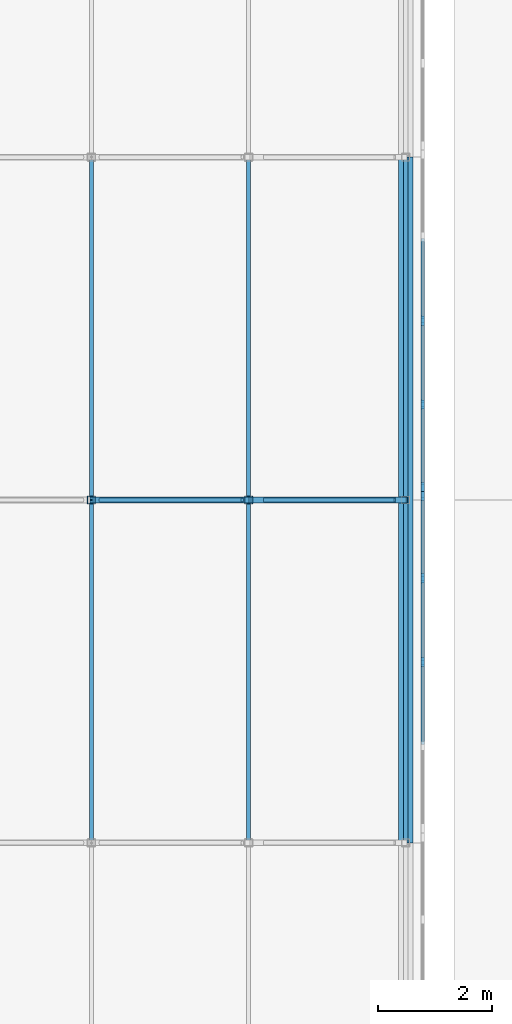
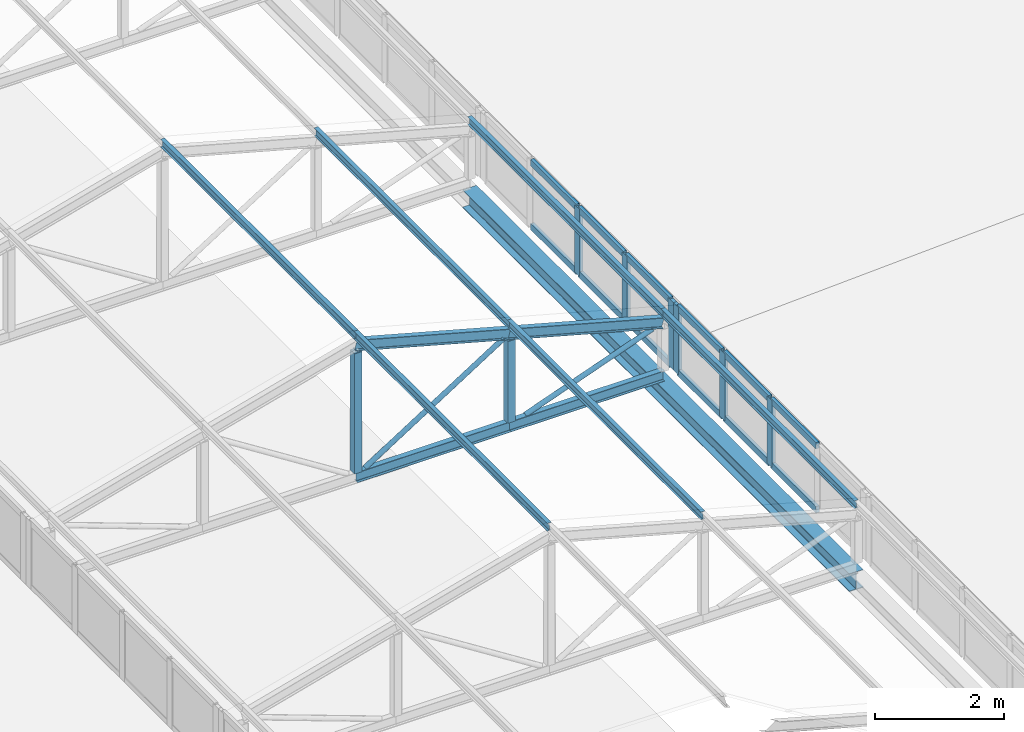
# One storey, part 21 of 94: 32 members, 1 beam, 2 elements without a shape of their own.
"""IFC4 building model written with IfcOpenShell, lengths in metres."""

from ifc_helpers import new_model, si_unit, direction, frame, origin, origin_2d, place, context, subcontext, project, spatial, rectangle, hollow_rectangle, hollow_circle, i_section, extrude, material, layer, layer_set, material_profile, profile_set, type_object, element, aggregate, save


model = new_model("IFC4")

# Units and contexts
model_context = context("Model", 3, precision=1e-05, world=origin(), true_north=direction((0.0, 1.0)))
body_context = subcontext(model_context, "Body", "Model", "MODEL_VIEW")
ifc_project = project(units=[si_unit("LENGTHUNIT", "METRE"), si_unit("AREAUNIT", "SQUARE_METRE"), si_unit("VOLUMEUNIT", "CUBIC_METRE"), si_unit("PLANEANGLEUNIT", "RADIAN"), si_unit("MASSUNIT", "GRAM", prefix="KILO")], contexts=[model_context])

# Site, building, storey
site_placement = place(None, origin())
site = spatial("IfcSite", under=ifc_project, at=site_placement, CompositionType="ELEMENT")
building_placement = place(site_placement, origin())
building = spatial("IfcBuilding", under=site, at=building_placement, Name="Lilac Gate Convention Centre", CompositionType="ELEMENT")
storey_placement = place(building_placement, frame((0.0, 0.0, 21.0)))
storey = spatial("IfcBuildingStorey", under=building, at=storey_placement, Name="L04", CompositionType="ELEMENT", Elevation=21.0)

# Curtain wall, members
ifc_material_1 = material(Name="Aluminium framed double glazing", Category="aluminium")
ifc_layer = layer(ifc_material_1, 0.199951171875)
ifc_layer_set = layer_set([ifc_layer], Name="Aluminium framed double glazing")
curtain_wall_type = type_object("IfcCurtainWallType", Name="Unitised curtain wall 1500", PredefinedType="NOTDEFINED", material=ifc_layer_set)
curtain_wall_1_placement = place(storey_placement, origin())
curtain_wall_1 = element("IfcCurtainWall", 1, at=curtain_wall_1_placement, inside=storey, type_object=curtain_wall_type, Name="Lantern clerestory E 10", PredefinedType="NOTDEFINED")
ifc_material_2 = material(Name="Aluminium alloy 6063", Category="aluminium")
ifc_material_profile_1 = material_profile(ifc_material_2, rectangle(XDim=0.06005859375, YDim=0.159912109375, at=origin_2d()), Name="Curtain wall mullion 60 x 160")
ifc_profile_set_1 = profile_set([ifc_material_profile_1], Name="Aluminium alloy 6063")
member_type_1 = type_object("IfcMemberType", Name="Curtain wall mullion 60 x 160", PredefinedType="MULLION", material=ifc_profile_set_1)
member_1_placement = place(storey_placement, frame((28.89990234375, 87.16259765625, 0.0), z_axis=(0.0, 0.0, 1.0), x_axis=(-1.0, 0.0, 0.0)))
member_1 = element("IfcMember", 2, at=member_1_placement, type_object=member_type_1, Name="CW mullion 3", PredefinedType="MULLION", context=body_context, shape_type="SweptSolid", body=[
    extrude(rectangle(XDim=0.06005859375, YDim=0.159912109375, at=origin_2d()), origin(), (0.0, 0.0, 1.0), 1.272216796875),
])
member_2_placement = place(storey_placement, frame((28.89990234375, 88.63134765625, 0.0), z_axis=(0.0, 0.0, 1.0), x_axis=(-1.0, 0.0, 0.0)))
member_2 = element("IfcMember", 3, at=member_2_placement, type_object=member_type_1, Name="CW mullion 4", PredefinedType="MULLION", context=body_context, shape_type="SweptSolid", body=[
    extrude(rectangle(XDim=0.06005859375, YDim=0.159912109375, at=origin_2d()), origin(), (0.0, 0.0, 1.0), 1.272216796875),
])
member_3_placement = place(storey_placement, frame((28.89990234375, 90.070068359375, 0.0), z_axis=(0.0, 0.0, 1.0), x_axis=(-1.0, 0.0, 0.0)))
member_3 = element("IfcMember", 4, at=member_3_placement, type_object=member_type_1, Name="CW mullion 5", PredefinedType="MULLION", context=body_context, shape_type="SweptSolid", body=[
    extrude(rectangle(XDim=0.06005859375, YDim=0.159912109375, at=origin_2d()), origin(), (0.0, 0.0, 1.0), 1.272216796875),
])

curtain_wall_2_placement = place(storey_placement, origin())
curtain_wall_2 = element("IfcCurtainWall", 5, at=curtain_wall_2_placement, inside=storey, type_object=curtain_wall_type, Name="Lantern clerestory E 11", PredefinedType="NOTDEFINED")
member_4_placement = place(storey_placement, frame((28.89990234375, 90.22998046875, 0.0), z_axis=(0.0, 0.0, 1.0), x_axis=(-1.0, 0.0, 0.0)))
member_4 = element("IfcMember", 6, at=member_4_placement, type_object=member_type_1, Name="CW mullion 1", PredefinedType="MULLION", context=body_context, shape_type="SweptSolid", body=[
    extrude(rectangle(XDim=0.06005859375, YDim=0.159912109375, at=origin_2d()), origin(), (0.0, 0.0, 1.0), 1.272216796875),
])
member_5_placement = place(storey_placement, frame((28.89990234375, 91.668701171875, 0.0), z_axis=(0.0, 0.0, 1.0), x_axis=(-1.0, 0.0, 0.0)))
member_5 = element("IfcMember", 7, at=member_5_placement, type_object=member_type_1, Name="CW mullion 2", PredefinedType="MULLION", context=body_context, shape_type="SweptSolid", body=[
    extrude(rectangle(XDim=0.06005859375, YDim=0.159912109375, at=origin_2d()), origin(), (0.0, 0.0, 1.0), 1.272216796875),
])
member_6_placement = place(storey_placement, frame((28.89990234375, 93.137451171875, 0.0), z_axis=(0.0, 0.0, 1.0), x_axis=(-1.0, 0.0, 0.0)))
member_6 = element("IfcMember", 8, at=member_6_placement, type_object=member_type_1, Name="CW mullion 3", PredefinedType="MULLION", context=body_context, shape_type="SweptSolid", body=[
    extrude(rectangle(XDim=0.06005859375, YDim=0.159912109375, at=origin_2d()), origin(), (0.0, 0.0, 1.0), 1.272216796875),
])

# Member
ifc_material_profile_2 = material_profile(ifc_material_2, rectangle(XDim=0.06005859375, YDim=0.1201171875, at=origin_2d()), Name="Curtain wall transom 60 x 120")
ifc_profile_set_2 = profile_set([ifc_material_profile_2], Name="Aluminium alloy 6063")
member_type_2 = type_object("IfcMemberType", Name="Curtain wall transom 60 x 120", PredefinedType="USERDEFINED", material=ifc_profile_set_2)
member_7_placement = place(storey_placement, frame((28.89990234375, 85.723876953125, 0.030029296875), z_axis=(0.0, 1.0, 0.0), x_axis=(-1.0, 0.0, 0.0)))
member_7 = element("IfcMember", 9, at=member_7_placement, type_object=member_type_2, Name="CW transom 2.1", ObjectType="TRANSOM", PredefinedType="USERDEFINED", context=body_context, shape_type="SweptSolid", body=[
    extrude(rectangle(XDim=0.06005859375, YDim=0.1201171875, at=origin_2d()), origin(), (0.0, 0.0, 1.0), 1.40869140625),
])

member_8_placement = place(storey_placement, frame((28.89990234375, 85.723876953125, 1.2421875), z_axis=(0.0, 1.0, 0.0), x_axis=(-1.0, 0.0, 0.0)))
member_8 = element("IfcMember", 10, at=member_8_placement, type_object=member_type_2, Name="CW transom 2.2", ObjectType="TRANSOM", PredefinedType="USERDEFINED", context=body_context, shape_type="SweptSolid", body=[
    extrude(rectangle(XDim=0.06005859375, YDim=0.1201171875, at=origin_2d()), origin(), (0.0, 0.0, 1.0), 1.40869140625),
])

member_9_placement = place(storey_placement, frame((28.89990234375, 87.192626953125, 0.030029296875), z_axis=(0.0, 1.0, 0.0), x_axis=(-1.0, 0.0, 0.0)))
member_9 = element("IfcMember", 11, at=member_9_placement, type_object=member_type_2, Name="CW transom 3.1", ObjectType="TRANSOM", PredefinedType="USERDEFINED", context=body_context, shape_type="SweptSolid", body=[
    extrude(rectangle(XDim=0.06005859375, YDim=0.1201171875, at=origin_2d()), origin(), (0.0, 0.0, 1.0), 1.40869140625),
])

member_10_placement = place(storey_placement, frame((28.89990234375, 87.192626953125, 1.2421875), z_axis=(0.0, 1.0, 0.0), x_axis=(-1.0, 0.0, 0.0)))
member_10 = element("IfcMember", 12, at=member_10_placement, type_object=member_type_2, Name="CW transom 3.2", ObjectType="TRANSOM", PredefinedType="USERDEFINED", context=body_context, shape_type="SweptSolid", body=[
    extrude(rectangle(XDim=0.06005859375, YDim=0.1201171875, at=origin_2d()), origin(), (0.0, 0.0, 1.0), 1.40869140625),
])

member_11_placement = place(storey_placement, frame((28.89990234375, 88.661376953125, 0.030029296875), z_axis=(0.0, 1.0, 0.0), x_axis=(-1.0, 0.0, 0.0)))
member_11 = element("IfcMember", 13, at=member_11_placement, type_object=member_type_2, Name="CW transom 4.1", ObjectType="TRANSOM", PredefinedType="USERDEFINED", context=body_context, shape_type="SweptSolid", body=[
    extrude(rectangle(XDim=0.06005859375, YDim=0.1201171875, at=origin_2d()), origin(), (0.0, 0.0, 1.0), 1.378662109375),
])

member_12_placement = place(storey_placement, frame((28.89990234375, 88.661376953125, 1.2421875), z_axis=(0.0, 1.0, 0.0), x_axis=(-1.0, 0.0, 0.0)))
member_12 = element("IfcMember", 14, at=member_12_placement, type_object=member_type_2, Name="CW transom 4.2", ObjectType="TRANSOM", PredefinedType="USERDEFINED", context=body_context, shape_type="SweptSolid", body=[
    extrude(rectangle(XDim=0.06005859375, YDim=0.1201171875, at=origin_2d()), origin(), (0.0, 0.0, 1.0), 1.378662109375),
])

aggregate(curtain_wall_1, [member_1, member_2, member_3, member_7, member_8, member_9, member_10, member_11, member_12])

member_13_placement = place(storey_placement, frame((28.89990234375, 90.260009765625, 0.030029296875), z_axis=(0.0, 1.0, 0.0), x_axis=(-1.0, 0.0, 0.0)))
member_13 = element("IfcMember", 15, at=member_13_placement, type_object=member_type_2, Name="CW transom 1.1", ObjectType="TRANSOM", PredefinedType="USERDEFINED", context=body_context, shape_type="SweptSolid", body=[
    extrude(rectangle(XDim=0.06005859375, YDim=0.1201171875, at=origin_2d()), origin(), (0.0, 0.0, 1.0), 1.378662109375),
])

member_14_placement = place(storey_placement, frame((28.89990234375, 90.260009765625, 1.2421875), z_axis=(0.0, 1.0, 0.0), x_axis=(-1.0, 0.0, 0.0)))
member_14 = element("IfcMember", 16, at=member_14_placement, type_object=member_type_2, Name="CW transom 1.2", ObjectType="TRANSOM", PredefinedType="USERDEFINED", context=body_context, shape_type="SweptSolid", body=[
    extrude(rectangle(XDim=0.06005859375, YDim=0.1201171875, at=origin_2d()), origin(), (0.0, 0.0, 1.0), 1.378662109375),
])

member_15_placement = place(storey_placement, frame((28.89990234375, 91.69873046875, 0.030029296875), z_axis=(0.0, 1.0, 0.0), x_axis=(-1.0, 0.0, 0.0)))
member_15 = element("IfcMember", 17, at=member_15_placement, type_object=member_type_2, Name="CW transom 2.1", ObjectType="TRANSOM", PredefinedType="USERDEFINED", context=body_context, shape_type="SweptSolid", body=[
    extrude(rectangle(XDim=0.06005859375, YDim=0.1201171875, at=origin_2d()), origin(), (0.0, 0.0, 1.0), 1.40869140625),
])

member_16_placement = place(storey_placement, frame((28.89990234375, 91.69873046875, 1.2421875), z_axis=(0.0, 1.0, 0.0), x_axis=(-1.0, 0.0, 0.0)))
member_16 = element("IfcMember", 18, at=member_16_placement, type_object=member_type_2, Name="CW transom 2.2", ObjectType="TRANSOM", PredefinedType="USERDEFINED", context=body_context, shape_type="SweptSolid", body=[
    extrude(rectangle(XDim=0.06005859375, YDim=0.1201171875, at=origin_2d()), origin(), (0.0, 0.0, 1.0), 1.40869140625),
])

member_17_placement = place(storey_placement, frame((28.89990234375, 93.16748046875, 0.030029296875), z_axis=(0.0, 1.0, 0.0), x_axis=(-1.0, 0.0, 0.0)))
member_17 = element("IfcMember", 19, at=member_17_placement, type_object=member_type_2, Name="CW transom 3.1", ObjectType="TRANSOM", PredefinedType="USERDEFINED", context=body_context, shape_type="SweptSolid", body=[
    extrude(rectangle(XDim=0.06005859375, YDim=0.1201171875, at=origin_2d()), origin(), (0.0, 0.0, 1.0), 1.40869140625),
])

member_18_placement = place(storey_placement, frame((28.89990234375, 93.16748046875, 1.2421875), z_axis=(0.0, 1.0, 0.0), x_axis=(-1.0, 0.0, 0.0)))
member_18 = element("IfcMember", 20, at=member_18_placement, type_object=member_type_2, Name="CW transom 3.2", ObjectType="TRANSOM", PredefinedType="USERDEFINED", context=body_context, shape_type="SweptSolid", body=[
    extrude(rectangle(XDim=0.06005859375, YDim=0.1201171875, at=origin_2d()), origin(), (0.0, 0.0, 1.0), 1.40869140625),
])

aggregate(curtain_wall_2, [member_4, member_5, member_6, member_13, member_14, member_15, member_16, member_17, member_18])

# Members
ifc_material_3 = material(Name="Steel Q355B", Category="steel")
ifc_material_profile_3 = material_profile(ifc_material_3, i_section(OverallWidth=0.10009765625, OverallDepth=0.199951171875, WebThickness=0.005615234375, FlangeThickness=0.008056640625, FilletRadius=0.008056640625, at=origin_2d()), Name="HN200x100x5.5x8")
ifc_profile_set_3 = profile_set([ifc_material_profile_3], Name="Steel Q355B")
member_type_3 = type_object("IfcMemberType", Name="Lantern bottom chord HN200x100x5.5x8", PredefinedType="CHORD", material=ifc_profile_set_3)
for number, where, z_axis, x_axis, name in (
    (21, (23.10009765625, 90.0, 0.10009765625), (1.0, 0.0, 0.0), (0.0, 1.0, 0.0), "LB1 lantern truss 11 bottom chord 3"),
    (22, (25.85009765625, 90.0, 0.10009765625), (1.0, 0.0, 0.0), (0.0, 1.0, 0.0), "LB1 lantern truss 11 bottom chord 4"),
):
    element("IfcMember", number, at=place(storey_placement, frame(where, z_axis=z_axis, x_axis=x_axis)), inside=storey, type_object=member_type_3, Name=name, PredefinedType="CHORD", context=body_context, shape_type="SweptSolid", body=[
        extrude(i_section(OverallWidth=0.10009765625, OverallDepth=0.199951171875, WebThickness=0.005615234375, FlangeThickness=0.008056640625, FilletRadius=0.008056640625, at=origin_2d()), origin(), (0.0, 0.0, 1.0), 2.75),
    ])
ifc_material_profile_4 = material_profile(ifc_material_3, hollow_circle(Radius=0.04443359375, WallThickness=0.0048828125, at=origin_2d()), Name="CHS88.9x5")
ifc_profile_set_4 = profile_set([ifc_material_profile_4], Name="Steel Q355B")
member_type_4 = type_object("IfcMemberType", Name="Lantern diagonal CHS88.9x5", PredefinedType="BRACE", material=ifc_profile_set_4)
member_19_placement = place(storey_placement, frame((25.74169921875, 90.0, 1.781005859375), z_axis=(-0.843671728148, 0.0, -0.536859399773), x_axis=(0.0, -1.0, 0.0)))
element("IfcMember", 23, at=member_19_placement, inside=storey, type_object=member_type_4, Name="LW1 lantern truss 11 diagonal 3", PredefinedType="BRACE", context=body_context, shape_type="SweptSolid", body=[
    extrude(hollow_circle(Radius=0.04443359375, WallThickness=0.0048828125, at=origin_2d()), origin(), (0.0, 0.0, 1.0), 2.945068359375),
])
member_20_placement = place(storey_placement, frame((28.410400390625, 90.0, 1.031005859375), z_axis=(-0.939793423488, 0.0, -0.341743063087), x_axis=(0.0, -1.0, 0.0)))
element("IfcMember", 24, at=member_20_placement, inside=storey, type_object=member_type_4, Name="LW1 lantern truss 11 diagonal 4", PredefinedType="BRACE", context=body_context, shape_type="SweptSolid", body=[
    extrude(hollow_circle(Radius=0.04443359375, WallThickness=0.0048828125, at=origin_2d()), origin(), (0.0, 0.0, 1.0), 2.431884765625),
])
ifc_material_profile_5 = material_profile(ifc_material_3, hollow_rectangle(XDim=0.139892578125, YDim=0.139892578125, WallThickness=0.0048828125, InnerFilletRadius=0.0048828125, OuterFilletRadius=0.010009765625, at=origin_2d()), Name="SHS140x140x5")
ifc_profile_set_5 = profile_set([ifc_material_profile_5], Name="Steel Q355B")
member_type_5 = type_object("IfcMemberType", Name="Lantern post SHS140x140x5", PredefinedType="STRUT", material=ifc_profile_set_5)
member_21_placement = place(storey_placement, frame((23.10009765625, 90.0, 0.199951171875), z_axis=(0.0, 0.0, 1.0), x_axis=(1.0, 0.0, 0.0)))
element("IfcMember", 25, at=member_21_placement, inside=storey, type_object=member_type_5, Name="LV1 lantern truss 11 post 3", PredefinedType="STRUT", context=body_context, shape_type="SweptSolid", body=[
    extrude(hollow_rectangle(XDim=0.139892578125, YDim=0.139892578125, WallThickness=0.0048828125, InnerFilletRadius=0.0048828125, OuterFilletRadius=0.010009765625, at=origin_2d()), origin(), (0.0, 0.0, 1.0), 2.277099609375),
])
member_22_placement = place(storey_placement, frame((25.85009765625, 90.0, 0.199951171875), z_axis=(0.0, 0.0, 1.0), x_axis=(1.0, 0.0, 0.0)))
element("IfcMember", 26, at=member_22_placement, inside=storey, type_object=member_type_5, Name="LV1 lantern truss 11 post 4", PredefinedType="STRUT", context=body_context, shape_type="SweptSolid", body=[
    extrude(hollow_rectangle(XDim=0.139892578125, YDim=0.139892578125, WallThickness=0.0048828125, InnerFilletRadius=0.0048828125, OuterFilletRadius=0.010009765625, at=origin_2d()), origin(), (0.0, 0.0, 1.0), 1.546142578125),
])
ifc_material_profile_6 = material_profile(ifc_material_3, i_section(OverallWidth=0.074951171875, OverallDepth=0.14990234375, WebThickness=0.0048828125, FlangeThickness=0.007080078125, FilletRadius=0.008056640625, at=origin_2d()), Name="HN150x75x5x7")
ifc_profile_set_6 = profile_set([ifc_material_profile_6], Name="Steel Q355B")
member_type_6 = type_object("IfcMemberType", Name="Lantern purlin HN150x75x5x7", PredefinedType="PURLIN", material=ifc_profile_set_6)
for number, where, z_axis, x_axis, name in (
    (27, (23.10009765625, 84.0, 2.779052734375), (0.0, 1.0, 0.0), (-1.0, 0.0, 0.0), "LP1 lantern purlin bay 10 line 3"),
    (28, (23.10009765625, 90.0, 2.779052734375), (0.0, 1.0, 0.0), (-1.0, 0.0, 0.0), "LP1 lantern purlin bay 11 line 3"),
    (29, (25.85009765625, 84.0, 2.029052734375), (0.0, 1.0, 0.0), (-1.0, 0.0, 0.0), "LP1 lantern purlin bay 10 line 4"),
    (30, (25.85009765625, 90.0, 2.029052734375), (0.0, 1.0, 0.0), (-1.0, 0.0, 0.0), "LP1 lantern purlin bay 11 line 4"),
    (31, (28.60009765625, 84.0, 1.279052734375), (0.0, 1.0, 0.0), (-1.0, 0.0, 0.0), "LP1 lantern purlin bay 10 line 5"),
    (32, (28.60009765625, 90.0, 1.279052734375), (0.0, 1.0, 0.0), (-1.0, 0.0, 0.0), "LP1 lantern purlin bay 11 line 5"),
):
    element("IfcMember", number, at=place(storey_placement, frame(where, z_axis=z_axis, x_axis=x_axis)), inside=storey, type_object=member_type_6, Name=name, PredefinedType="PURLIN", context=body_context, shape_type="SweptSolid", body=[
        extrude(i_section(OverallWidth=0.074951171875, OverallDepth=0.14990234375, WebThickness=0.0048828125, FlangeThickness=0.007080078125, FilletRadius=0.008056640625, at=origin_2d()), origin(), (0.0, 0.0, 1.0), 6.0),
    ])
ifc_material_profile_7 = material_profile(ifc_material_3, i_section(OverallWidth=0.10009765625, OverallDepth=0.199951171875, WebThickness=0.005615234375, FlangeThickness=0.008056640625, FilletRadius=0.008056640625, at=origin_2d()), Name="HN200x100x5.5x8")
ifc_profile_set_7 = profile_set([ifc_material_profile_7], Name="Steel Q355B")
member_type_7 = type_object("IfcMemberType", Name="Lantern top chord HN200x100x5.5x8", PredefinedType="CHORD", material=ifc_profile_set_7)
for number, where, z_axis, x_axis, name in (
    (33, (23.10009765625, 90.0, 2.60009765625), (0.964763821238, 0.0, -0.263117405792), (0.0, 1.0, 0.0), "LT1 lantern truss 11 top chord 3"),
    (34, (25.85009765625, 90.0, 1.85009765625), (0.964763821238, 0.0, -0.263117405792), (0.0, 1.0, 0.0), "LT1 lantern truss 11 top chord 4"),
):
    element("IfcMember", number, at=place(storey_placement, frame(where, z_axis=z_axis, x_axis=x_axis)), inside=storey, type_object=member_type_7, Name=name, PredefinedType="CHORD", context=body_context, shape_type="SweptSolid", body=[
        extrude(i_section(OverallWidth=0.10009765625, OverallDepth=0.199951171875, WebThickness=0.005615234375, FlangeThickness=0.008056640625, FilletRadius=0.008056640625, at=origin_2d()), origin(), (0.0, 0.0, 1.0), 2.850341796875),
    ])

# Beam
ifc_material_profile_8 = material_profile(ifc_material_3, i_section(OverallWidth=0.25, OverallDepth=0.340087890625, WebThickness=0.009033203125, FlangeThickness=0.013916015625, FilletRadius=0.012939453125, at=origin_2d()), Name="HM340x250x9x14")
ifc_profile_set_8 = profile_set([ifc_material_profile_8], Name="Steel Q355B")
beam_type = type_object("IfcBeamType", Name="Steel edge beam HM340x250x9x14", PredefinedType="BEAM", material=ifc_profile_set_8)
beam_placement = place(storey_placement, frame((28.60009765625, 84.0, -0.169921875), z_axis=(0.0, 1.0, 0.0), x_axis=(-1.0, 0.0, 0.0)))
element("IfcBeam", 35, at=beam_placement, inside=storey, type_object=beam_type, Name="LE1 lantern edge beam 6", PredefinedType="BEAM", context=body_context, shape_type="SweptSolid", body=[
    extrude(i_section(OverallWidth=0.25, OverallDepth=0.340087890625, WebThickness=0.009033203125, FlangeThickness=0.013916015625, FilletRadius=0.012939453125, at=origin_2d()), origin(), (0.0, 0.0, 1.0), 12.0),
])

save(model, "model.ifc")
